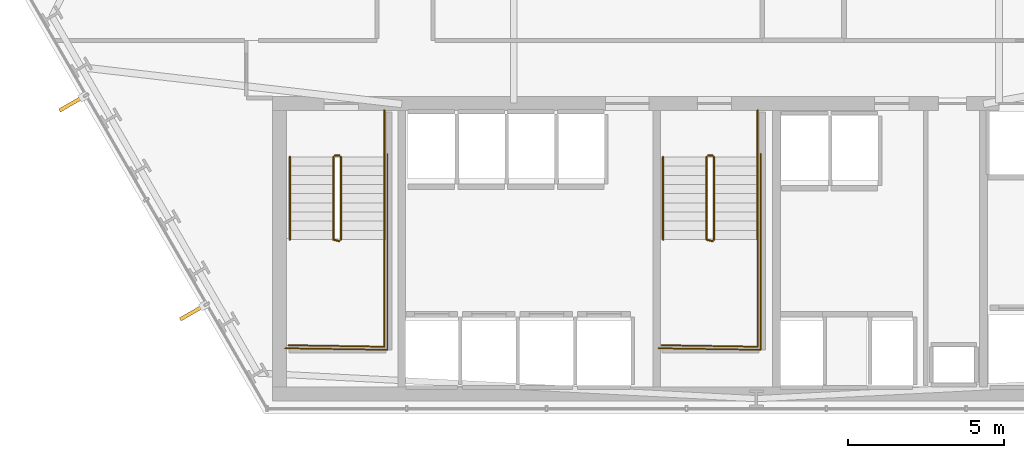
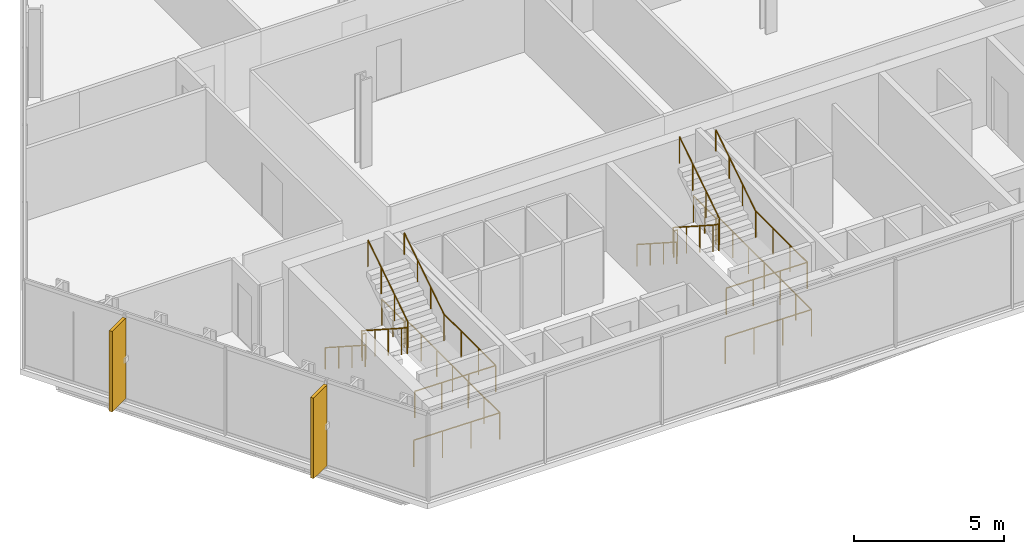
# One storey, part 29 of 32: 16 railings, 2 shading devices.
"""IFC4 building model written with IfcOpenShell, lengths in metres."""

from ifc_helpers import new_model, si_unit, direction, frame, origin, origin_2d, place, context, subcontext, project, spatial, rectangle, circle, extrude, material, layer, layer_set, type_object, element, save


model = new_model("IFC4")

# Units and contexts
model_context = context("Model", 3, precision=1e-05, world=origin(), true_north=direction((0.0, 1.0)))
body_context = subcontext(model_context, "Body", "Model", "MODEL_VIEW")
ifc_project = project(units=[si_unit("LENGTHUNIT", "METRE"), si_unit("AREAUNIT", "SQUARE_METRE"), si_unit("VOLUMEUNIT", "CUBIC_METRE"), si_unit("PLANEANGLEUNIT", "RADIAN"), si_unit("MASSUNIT", "GRAM", prefix="KILO")], contexts=[model_context])

# Site, building, storey
site_placement = place(None, origin())
site = spatial("IfcSite", under=ifc_project, at=site_placement, CompositionType="ELEMENT")
building_placement = place(site_placement, origin())
building = spatial("IfcBuilding", under=site, at=building_placement, Name="Ndaravel Arena Tower", CompositionType="ELEMENT")
storey_placement = place(building_placement, frame((0.0, 0.0, 62.60009765625)))
storey = spatial("IfcBuildingStorey", under=building, at=storey_placement, Name="L13", CompositionType="ELEMENT", Elevation=62.60009765625)

# Railings
ifc_material_1 = material(Name="Steel S355", Category="steel")
ifc_layer_1 = layer(ifc_material_1, 0.06005859375)
ifc_layer_set_1 = layer_set([ifc_layer_1], Name="Steel S355")
railing_type_1 = type_object("IfcRailingType", Name="RAIL-STAIR-GD1100", PredefinedType="GUARDRAIL", material=ifc_layer_set_1)
railing_1_placement = place(storey_placement, frame((28.39990234375, 13.25, 0.18994140625)))
element("IfcRailing", 1, at=railing_1_placement, inside=storey, type_object=railing_type_1, Name="L13 ST-1 stair guard 1", PredefinedType="GUARDRAIL", context=body_context, shape_type="SweptSolid", body=[
    extrude(circle(Radius=0.02392578125, at=origin_2d()), frame((0.0, 0.0, 1.076171875), z_axis=(0.0, -0.840723540582, 0.54146461409), x_axis=(1.0, 0.0, 0.0)), (0.0, 0.0, 1.0), 3.157958984375),
    extrude(circle(Radius=0.02392578125, at=origin_2d()), frame((0.0, -2.655029296875, 2.7861328125), z_axis=(0.967074537263, -0.25449329928, 0.0), x_axis=(0.25449329928, 0.967074537263, 0.0)), (0.0, 0.0, 1.0), 0.19677734375),
    extrude(circle(Radius=0.02099609375, at=origin_2d()), origin(), (0.0, 0.0, 1.0), 1.052001953125),
    extrude(circle(Radius=0.02099609375, at=origin_2d()), frame((0.0, -0.885009765625, 0.570068359375)), (0.0, 0.0, 1.0), 1.052001953125),
    extrude(circle(Radius=0.02099609375, at=origin_2d()), frame((0.0, -1.77001953125, 1.139892578125)), (0.0, 0.0, 1.0), 1.052001953125),
    extrude(circle(Radius=0.02099609375, at=origin_2d()), frame((0.0, -2.655029296875, 1.7099609375)), (0.0, 0.0, 1.0), 1.052001953125),
    extrude(circle(Radius=0.02099609375, at=origin_2d()), frame((0.190185546875, -2.705078125, 1.7099609375)), (0.0, 0.0, 1.0), 1.052001953125),
])
railing_2_placement = place(storey_placement, frame((30.0400390625, 10.594970703125, 1.89990234375)))
element("IfcRailing", 2, at=railing_2_placement, inside=storey, type_object=railing_type_1, Name="L13 ST-1 stair guard 2", PredefinedType="GUARDRAIL", context=body_context, shape_type="SweptSolid", body=[
    extrude(circle(Radius=0.02392578125, at=origin_2d()), frame((0.0, 0.0, 1.076171875), z_axis=(0.0, -1.0, 0.0), x_axis=(1.0, 0.0, 0.0)), (0.0, 0.0, 1.0), 3.445068359375),
    extrude(circle(Radius=0.02392578125, at=origin_2d()), frame((0.0, -3.445068359375, 1.076171875), z_axis=(-0.999868861343, 0.016194447071, 0.0), x_axis=(-0.016194447071, -0.999868861343, 0.0)), (0.0, 0.0, 1.0), 3.090576171875),
    extrude(circle(Radius=0.02099609375, at=origin_2d()), origin(), (0.0, 0.0, 1.0), 1.052001953125),
    extrude(circle(Radius=0.02099609375, at=origin_2d()), frame((0.0, -1.1484375, 0.0)), (0.0, 0.0, 1.0), 1.052001953125),
    extrude(circle(Radius=0.02099609375, at=origin_2d()), frame((0.0, -2.296630859375, 0.0)), (0.0, 0.0, 1.0), 1.052001953125),
    extrude(circle(Radius=0.02099609375, at=origin_2d()), frame((0.0, -3.445068359375, 0.0)), (0.0, 0.0, 1.0), 1.052001953125),
    extrude(circle(Radius=0.02099609375, at=origin_2d()), frame((-1.030029296875, -3.428466796875, 0.0)), (0.0, 0.0, 1.0), 1.052001953125),
    extrude(circle(Radius=0.02099609375, at=origin_2d()), frame((-2.06005859375, -3.41162109375, 0.0)), (0.0, 0.0, 1.0), 1.052001953125),
    extrude(circle(Radius=0.02099609375, at=origin_2d()), frame((-3.090087890625, -3.39501953125, 0.0)), (0.0, 0.0, 1.0), 1.052001953125),
])
railing_3_placement = place(storey_placement, frame((28.639892578125, 10.594970703125, 2.08984375)))
element("IfcRailing", 3, at=railing_3_placement, inside=storey, type_object=railing_type_1, Name="L13 ST-1 stair guard 3", PredefinedType="GUARDRAIL", context=body_context, shape_type="SweptSolid", body=[
    extrude(circle(Radius=0.02392578125, at=origin_2d()), frame((0.0, 0.0, 1.076171875), z_axis=(0.0, 0.840723540582, 0.54146461409), x_axis=(-1.0, 0.0, 0.0)), (0.0, 0.0, 1.0), 3.157958984375),
    extrude(circle(Radius=0.02099609375, at=origin_2d()), origin(), (0.0, 0.0, 1.0), 1.052001953125),
    extrude(circle(Radius=0.02099609375, at=origin_2d()), frame((0.0, 0.885009765625, 0.570068359375)), (0.0, 0.0, 1.0), 1.052001953125),
    extrude(circle(Radius=0.02099609375, at=origin_2d()), frame((0.0, 1.77001953125, 1.139892578125)), (0.0, 0.0, 1.0), 1.052001953125),
    extrude(circle(Radius=0.02099609375, at=origin_2d()), frame((0.0, 2.655029296875, 1.7099609375)), (0.0, 0.0, 1.0), 1.052001953125),
])
railing_4_placement = place(storey_placement, frame((28.449951171875, 13.300048828125, 0.0)))
element("IfcRailing", 4, at=railing_4_placement, inside=storey, type_object=railing_type_1, Name="L13 ST-1 stair guard 4", PredefinedType="GUARDRAIL", context=body_context, shape_type="SweptSolid", body=[
    extrude(circle(Radius=0.02392578125, at=origin_2d()), frame((0.0, 0.0, 1.076171875), z_axis=(1.0, 0.0, 0.0), x_axis=(0.0, 1.0, 0.0)), (0.0, 0.0, 1.0), 0.14013671875),
    extrude(circle(Radius=0.02099609375, at=origin_2d()), origin(), (0.0, 0.0, 1.0), 1.052001953125),
    extrude(circle(Radius=0.02099609375, at=origin_2d()), frame((0.14013671875, 0.0, 0.0)), (0.0, 0.0, 1.0), 1.052001953125),
])
railing_5_placement = place(storey_placement, frame((30.0400390625, 14.75, 0.0)))
element("IfcRailing", 5, at=railing_5_placement, inside=storey, type_object=railing_type_1, Name="L13 ST-1 stair guard 5", PredefinedType="GUARDRAIL", context=body_context, shape_type="SweptSolid", body=[
    extrude(circle(Radius=0.02392578125, at=origin_2d()), frame((0.0, 0.0, 1.076171875), z_axis=(0.0, -1.0, 0.0), x_axis=(1.0, 0.0, 0.0)), (0.0, 0.0, 1.0), 1.5),
    extrude(circle(Radius=0.02099609375, at=origin_2d()), origin(), (0.0, 0.0, 1.0), 1.052001953125),
    extrude(circle(Radius=0.02099609375, at=origin_2d()), frame((0.0, -0.75, 0.0)), (0.0, 0.0, 1.0), 1.052001953125),
    extrude(circle(Radius=0.02099609375, at=origin_2d()), frame((0.0, -1.5, 0.0)), (0.0, 0.0, 1.0), 1.052001953125),
])
railing_6_placement = place(storey_placement, frame((30.139892578125, 13.35009765625, 0.0)))
element("IfcRailing", 6, at=railing_6_placement, inside=storey, type_object=railing_type_1, Name="L13 ST-1 stair guard 6", PredefinedType="GUARDRAIL", context=body_context, shape_type="SweptSolid", body=[
    extrude(circle(Radius=0.02392578125, at=origin_2d()), frame((0.0, 0.0, 1.076171875), z_axis=(0.0, -1.0, 0.0), x_axis=(1.0, 0.0, 0.0)), (0.0, 0.0, 1.0), 6.300048828125),
    extrude(circle(Radius=0.02392578125, at=origin_2d()), frame((0.0, -6.300048828125, 1.076171875), z_axis=(-0.999884296952, 0.015211597839, 0.0), x_axis=(-0.015211597839, -0.999884296952, 0.0)), (0.0, 0.0, 1.0), 3.290283203125),
    extrude(circle(Radius=0.02099609375, at=origin_2d()), origin(), (0.0, 0.0, 1.0), 1.052001953125),
    extrude(circle(Radius=0.02099609375, at=origin_2d()), frame((0.0, -1.050048828125, 0.0)), (0.0, 0.0, 1.0), 1.052001953125),
    extrude(circle(Radius=0.02099609375, at=origin_2d()), frame((0.0, -2.10009765625, 0.0)), (0.0, 0.0, 1.0), 1.052001953125),
    extrude(circle(Radius=0.02099609375, at=origin_2d()), frame((0.0, -3.14990234375, 0.0)), (0.0, 0.0, 1.0), 1.052001953125),
    extrude(circle(Radius=0.02099609375, at=origin_2d()), frame((0.0, -4.199951171875, 0.0)), (0.0, 0.0, 1.0), 1.052001953125),
    extrude(circle(Radius=0.02099609375, at=origin_2d()), frame((0.0, -5.25, 0.0)), (0.0, 0.0, 1.0), 1.052001953125),
    extrude(circle(Radius=0.02099609375, at=origin_2d()), frame((0.0, -6.300048828125, 0.0)), (0.0, 0.0, 1.0), 1.052001953125),
    extrude(circle(Radius=0.02099609375, at=origin_2d()), frame((-1.0966796875, -6.283447265625, 0.0)), (0.0, 0.0, 1.0), 1.052001953125),
    extrude(circle(Radius=0.02099609375, at=origin_2d()), frame((-2.193115234375, -6.2666015625, 0.0)), (0.0, 0.0, 1.0), 1.052001953125),
    extrude(circle(Radius=0.02099609375, at=origin_2d()), frame((-3.289794921875, -6.25, 0.0)), (0.0, 0.0, 1.0), 1.052001953125),
])
railing_7_placement = place(storey_placement, frame((40.39990234375, 13.25, 0.18994140625)))
element("IfcRailing", 7, at=railing_7_placement, inside=storey, type_object=railing_type_1, Name="L13 ST-2 stair guard 1", PredefinedType="GUARDRAIL", context=body_context, shape_type="SweptSolid", body=[
    extrude(circle(Radius=0.02392578125, at=origin_2d()), frame((0.0, 0.0, 1.076171875), z_axis=(0.0, -0.840723540582, 0.54146461409), x_axis=(1.0, 0.0, 0.0)), (0.0, 0.0, 1.0), 3.157958984375),
    extrude(circle(Radius=0.02392578125, at=origin_2d()), frame((0.0, -2.655029296875, 2.7861328125), z_axis=(0.967074537263, -0.25449329928, 0.0), x_axis=(0.25449329928, 0.967074537263, 0.0)), (0.0, 0.0, 1.0), 0.19677734375),
    extrude(circle(Radius=0.02099609375, at=origin_2d()), origin(), (0.0, 0.0, 1.0), 1.052001953125),
    extrude(circle(Radius=0.02099609375, at=origin_2d()), frame((0.0, -0.885009765625, 0.570068359375)), (0.0, 0.0, 1.0), 1.052001953125),
    extrude(circle(Radius=0.02099609375, at=origin_2d()), frame((0.0, -1.77001953125, 1.139892578125)), (0.0, 0.0, 1.0), 1.052001953125),
    extrude(circle(Radius=0.02099609375, at=origin_2d()), frame((0.0, -2.655029296875, 1.7099609375)), (0.0, 0.0, 1.0), 1.052001953125),
    extrude(circle(Radius=0.02099609375, at=origin_2d()), frame((0.190185546875, -2.705078125, 1.7099609375)), (0.0, 0.0, 1.0), 1.052001953125),
])
railing_8_placement = place(storey_placement, frame((42.0400390625, 10.594970703125, 1.89990234375)))
element("IfcRailing", 8, at=railing_8_placement, inside=storey, type_object=railing_type_1, Name="L13 ST-2 stair guard 2", PredefinedType="GUARDRAIL", context=body_context, shape_type="SweptSolid", body=[
    extrude(circle(Radius=0.02392578125, at=origin_2d()), frame((0.0, 0.0, 1.076171875), z_axis=(0.0, -1.0, 0.0), x_axis=(1.0, 0.0, 0.0)), (0.0, 0.0, 1.0), 3.445068359375),
    extrude(circle(Radius=0.02392578125, at=origin_2d()), frame((0.0, -3.445068359375, 1.076171875), z_axis=(-0.999868861343, 0.016194447071, 0.0), x_axis=(-0.016194447071, -0.999868861343, 0.0)), (0.0, 0.0, 1.0), 3.090576171875),
    extrude(circle(Radius=0.02099609375, at=origin_2d()), origin(), (0.0, 0.0, 1.0), 1.052001953125),
    extrude(circle(Radius=0.02099609375, at=origin_2d()), frame((0.0, -1.1484375, 0.0)), (0.0, 0.0, 1.0), 1.052001953125),
    extrude(circle(Radius=0.02099609375, at=origin_2d()), frame((0.0, -2.296630859375, 0.0)), (0.0, 0.0, 1.0), 1.052001953125),
    extrude(circle(Radius=0.02099609375, at=origin_2d()), frame((0.0, -3.445068359375, 0.0)), (0.0, 0.0, 1.0), 1.052001953125),
    extrude(circle(Radius=0.02099609375, at=origin_2d()), frame((-1.030029296875, -3.428466796875, 0.0)), (0.0, 0.0, 1.0), 1.052001953125),
    extrude(circle(Radius=0.02099609375, at=origin_2d()), frame((-2.06005859375, -3.41162109375, 0.0)), (0.0, 0.0, 1.0), 1.052001953125),
    extrude(circle(Radius=0.02099609375, at=origin_2d()), frame((-3.090087890625, -3.39501953125, 0.0)), (0.0, 0.0, 1.0), 1.052001953125),
])
railing_9_placement = place(storey_placement, frame((40.639892578125, 10.594970703125, 2.08984375)))
element("IfcRailing", 9, at=railing_9_placement, inside=storey, type_object=railing_type_1, Name="L13 ST-2 stair guard 3", PredefinedType="GUARDRAIL", context=body_context, shape_type="SweptSolid", body=[
    extrude(circle(Radius=0.02392578125, at=origin_2d()), frame((0.0, 0.0, 1.076171875), z_axis=(0.0, 0.840723540582, 0.54146461409), x_axis=(-1.0, 0.0, 0.0)), (0.0, 0.0, 1.0), 3.157958984375),
    extrude(circle(Radius=0.02099609375, at=origin_2d()), origin(), (0.0, 0.0, 1.0), 1.052001953125),
    extrude(circle(Radius=0.02099609375, at=origin_2d()), frame((0.0, 0.885009765625, 0.570068359375)), (0.0, 0.0, 1.0), 1.052001953125),
    extrude(circle(Radius=0.02099609375, at=origin_2d()), frame((0.0, 1.77001953125, 1.139892578125)), (0.0, 0.0, 1.0), 1.052001953125),
    extrude(circle(Radius=0.02099609375, at=origin_2d()), frame((0.0, 2.655029296875, 1.7099609375)), (0.0, 0.0, 1.0), 1.052001953125),
])
railing_10_placement = place(storey_placement, frame((40.449951171875, 13.300048828125, 0.0)))
element("IfcRailing", 10, at=railing_10_placement, inside=storey, type_object=railing_type_1, Name="L13 ST-2 stair guard 4", PredefinedType="GUARDRAIL", context=body_context, shape_type="SweptSolid", body=[
    extrude(circle(Radius=0.02392578125, at=origin_2d()), frame((0.0, 0.0, 1.076171875), z_axis=(1.0, 0.0, 0.0), x_axis=(0.0, 1.0, 0.0)), (0.0, 0.0, 1.0), 0.14013671875),
    extrude(circle(Radius=0.02099609375, at=origin_2d()), origin(), (0.0, 0.0, 1.0), 1.052001953125),
    extrude(circle(Radius=0.02099609375, at=origin_2d()), frame((0.14013671875, 0.0, 0.0)), (0.0, 0.0, 1.0), 1.052001953125),
])
railing_11_placement = place(storey_placement, frame((42.0400390625, 14.75, 0.0)))
element("IfcRailing", 11, at=railing_11_placement, inside=storey, type_object=railing_type_1, Name="L13 ST-2 stair guard 5", PredefinedType="GUARDRAIL", context=body_context, shape_type="SweptSolid", body=[
    extrude(circle(Radius=0.02392578125, at=origin_2d()), frame((0.0, 0.0, 1.076171875), z_axis=(0.0, -1.0, 0.0), x_axis=(1.0, 0.0, 0.0)), (0.0, 0.0, 1.0), 1.5),
    extrude(circle(Radius=0.02099609375, at=origin_2d()), origin(), (0.0, 0.0, 1.0), 1.052001953125),
    extrude(circle(Radius=0.02099609375, at=origin_2d()), frame((0.0, -0.75, 0.0)), (0.0, 0.0, 1.0), 1.052001953125),
    extrude(circle(Radius=0.02099609375, at=origin_2d()), frame((0.0, -1.5, 0.0)), (0.0, 0.0, 1.0), 1.052001953125),
])
railing_12_placement = place(storey_placement, frame((42.139892578125, 13.35009765625, 0.0)))
element("IfcRailing", 12, at=railing_12_placement, inside=storey, type_object=railing_type_1, Name="L13 ST-2 stair guard 6", PredefinedType="GUARDRAIL", context=body_context, shape_type="SweptSolid", body=[
    extrude(circle(Radius=0.02392578125, at=origin_2d()), frame((0.0, 0.0, 1.076171875), z_axis=(0.0, -1.0, 0.0), x_axis=(1.0, 0.0, 0.0)), (0.0, 0.0, 1.0), 6.300048828125),
    extrude(circle(Radius=0.02392578125, at=origin_2d()), frame((0.0, -6.300048828125, 1.076171875), z_axis=(-0.999884296952, 0.015211597839, 0.0), x_axis=(-0.015211597839, -0.999884296952, 0.0)), (0.0, 0.0, 1.0), 3.290283203125),
    extrude(circle(Radius=0.02099609375, at=origin_2d()), origin(), (0.0, 0.0, 1.0), 1.052001953125),
    extrude(circle(Radius=0.02099609375, at=origin_2d()), frame((0.0, -1.050048828125, 0.0)), (0.0, 0.0, 1.0), 1.052001953125),
    extrude(circle(Radius=0.02099609375, at=origin_2d()), frame((0.0, -2.10009765625, 0.0)), (0.0, 0.0, 1.0), 1.052001953125),
    extrude(circle(Radius=0.02099609375, at=origin_2d()), frame((0.0, -3.14990234375, 0.0)), (0.0, 0.0, 1.0), 1.052001953125),
    extrude(circle(Radius=0.02099609375, at=origin_2d()), frame((0.0, -4.199951171875, 0.0)), (0.0, 0.0, 1.0), 1.052001953125),
    extrude(circle(Radius=0.02099609375, at=origin_2d()), frame((0.0, -5.25, 0.0)), (0.0, 0.0, 1.0), 1.052001953125),
    extrude(circle(Radius=0.02099609375, at=origin_2d()), frame((0.0, -6.300048828125, 0.0)), (0.0, 0.0, 1.0), 1.052001953125),
    extrude(circle(Radius=0.02099609375, at=origin_2d()), frame((-1.0966796875, -6.283447265625, 0.0)), (0.0, 0.0, 1.0), 1.052001953125),
    extrude(circle(Radius=0.02099609375, at=origin_2d()), frame((-2.193115234375, -6.2666015625, 0.0)), (0.0, 0.0, 1.0), 1.052001953125),
    extrude(circle(Radius=0.02099609375, at=origin_2d()), frame((-3.289794921875, -6.25, 0.0)), (0.0, 0.0, 1.0), 1.052001953125),
])
ifc_material_2 = material(Name="Steel S355", Category="steel")
ifc_layer_2 = layer(ifc_material_2, 0.050048828125)
ifc_layer_set_2 = layer_set([ifc_layer_2], Name="Steel S355")
railing_type_2 = type_object("IfcRailingType", Name="RAIL-STAIR-HR920", PredefinedType="HANDRAIL", material=ifc_layer_set_2)
railing_13_placement = place(storey_placement, frame((27.0, 13.25, 0.18994140625)))
element("IfcRailing", 13, at=railing_13_placement, inside=storey, type_object=railing_type_2, Name="L13 ST-1 stair handrail 1", PredefinedType="HANDRAIL", context=body_context, shape_type="SweptSolid", body=[
    extrude(circle(Radius=0.02392578125, at=origin_2d()), frame((0.0, 0.0, 0.8759765625), z_axis=(0.0, -0.840723540582, 0.54146461409), x_axis=(1.0, 0.0, 0.0)), (0.0, 0.0, 1.0), 3.157958984375),
    extrude(circle(Radius=0.02099609375, at=origin_2d()), origin(), (0.0, 0.0, 1.0), 0.851806640625),
    extrude(circle(Radius=0.02099609375, at=origin_2d()), frame((0.0, -0.885009765625, 0.570068359375)), (0.0, 0.0, 1.0), 0.851806640625),
    extrude(circle(Radius=0.02099609375, at=origin_2d()), frame((0.0, -1.77001953125, 1.139892578125)), (0.0, 0.0, 1.0), 0.851806640625),
    extrude(circle(Radius=0.02099609375, at=origin_2d()), frame((0.0, -2.655029296875, 1.7099609375)), (0.0, 0.0, 1.0), 0.851806640625),
])
railing_14_placement = place(storey_placement, frame((30.0400390625, 10.594970703125, 2.08984375)))
element("IfcRailing", 14, at=railing_14_placement, inside=storey, type_object=railing_type_2, Name="L13 ST-1 stair handrail 2", PredefinedType="HANDRAIL", context=body_context, shape_type="SweptSolid", body=[
    extrude(circle(Radius=0.02392578125, at=origin_2d()), frame((0.0, 0.0, 0.8759765625), z_axis=(0.0, 0.840723540582, 0.54146461409), x_axis=(-1.0, 0.0, 0.0)), (0.0, 0.0, 1.0), 3.157958984375),
    extrude(circle(Radius=0.02099609375, at=origin_2d()), origin(), (0.0, 0.0, 1.0), 0.851806640625),
    extrude(circle(Radius=0.02099609375, at=origin_2d()), frame((0.0, 0.885009765625, 0.570068359375)), (0.0, 0.0, 1.0), 0.851806640625),
    extrude(circle(Radius=0.02099609375, at=origin_2d()), frame((0.0, 1.77001953125, 1.139892578125)), (0.0, 0.0, 1.0), 0.851806640625),
    extrude(circle(Radius=0.02099609375, at=origin_2d()), frame((0.0, 2.655029296875, 1.7099609375)), (0.0, 0.0, 1.0), 0.851806640625),
])
railing_15_placement = place(storey_placement, frame((39.0, 13.25, 0.18994140625)))
element("IfcRailing", 15, at=railing_15_placement, inside=storey, type_object=railing_type_2, Name="L13 ST-2 stair handrail 1", PredefinedType="HANDRAIL", context=body_context, shape_type="SweptSolid", body=[
    extrude(circle(Radius=0.02392578125, at=origin_2d()), frame((0.0, 0.0, 0.8759765625), z_axis=(0.0, -0.840723540582, 0.54146461409), x_axis=(1.0, 0.0, 0.0)), (0.0, 0.0, 1.0), 3.157958984375),
    extrude(circle(Radius=0.02099609375, at=origin_2d()), origin(), (0.0, 0.0, 1.0), 0.851806640625),
    extrude(circle(Radius=0.02099609375, at=origin_2d()), frame((0.0, -0.885009765625, 0.570068359375)), (0.0, 0.0, 1.0), 0.851806640625),
    extrude(circle(Radius=0.02099609375, at=origin_2d()), frame((0.0, -1.77001953125, 1.139892578125)), (0.0, 0.0, 1.0), 0.851806640625),
    extrude(circle(Radius=0.02099609375, at=origin_2d()), frame((0.0, -2.655029296875, 1.7099609375)), (0.0, 0.0, 1.0), 0.851806640625),
])
railing_16_placement = place(storey_placement, frame((42.0400390625, 10.594970703125, 2.08984375)))
element("IfcRailing", 16, at=railing_16_placement, inside=storey, type_object=railing_type_2, Name="L13 ST-2 stair handrail 2", PredefinedType="HANDRAIL", context=body_context, shape_type="SweptSolid", body=[
    extrude(circle(Radius=0.02392578125, at=origin_2d()), frame((0.0, 0.0, 0.8759765625), z_axis=(0.0, 0.840723540582, 0.54146461409), x_axis=(-1.0, 0.0, 0.0)), (0.0, 0.0, 1.0), 3.157958984375),
    extrude(circle(Radius=0.02099609375, at=origin_2d()), origin(), (0.0, 0.0, 1.0), 0.851806640625),
    extrude(circle(Radius=0.02099609375, at=origin_2d()), frame((0.0, 0.885009765625, 0.570068359375)), (0.0, 0.0, 1.0), 0.851806640625),
    extrude(circle(Radius=0.02099609375, at=origin_2d()), frame((0.0, 1.77001953125, 1.139892578125)), (0.0, 0.0, 1.0), 0.851806640625),
    extrude(circle(Radius=0.02099609375, at=origin_2d()), frame((0.0, 2.655029296875, 1.7099609375)), (0.0, 0.0, 1.0), 0.851806640625),
])

# Shading devices
ifc_material_3 = material(Name="Masonry", Category="masonry")
shading_device_type = type_object("IfcShadingDeviceType", Name="SHD-MAZERAS-FIN", PredefinedType="SHUTTER", material=ifc_material_3)
for number, where, z_axis, x_axis, name in (
    (17, (19.985595703125, 14.968505859375, 0.14990234375), (0.0, 0.0, 1.0), (-0.866025403784, -0.5, 0.0), "L13 Mazeras Stone Solar Fin E6.1"),
    (18, (23.863525390625, 8.25146484375, 0.14990234375), (0.0, 0.0, 1.0), (-0.866025403784, -0.5, 0.0), "L13 Mazeras Stone Solar Fin E6.2"),
):
    element("IfcShadingDevice", number, at=place(storey_placement, frame(where, z_axis=z_axis, x_axis=x_axis)), inside=storey, type_object=shading_device_type, Name=name, PredefinedType="SHUTTER", context=body_context, shape_type="SweptSolid", body=[
        extrude(rectangle(XDim=0.89990234375, YDim=0.1201171875, at=origin_2d()), origin(), (0.0, 0.0, 1.0), 3.280029296875),
    ])

save(model, "model.ifc")
